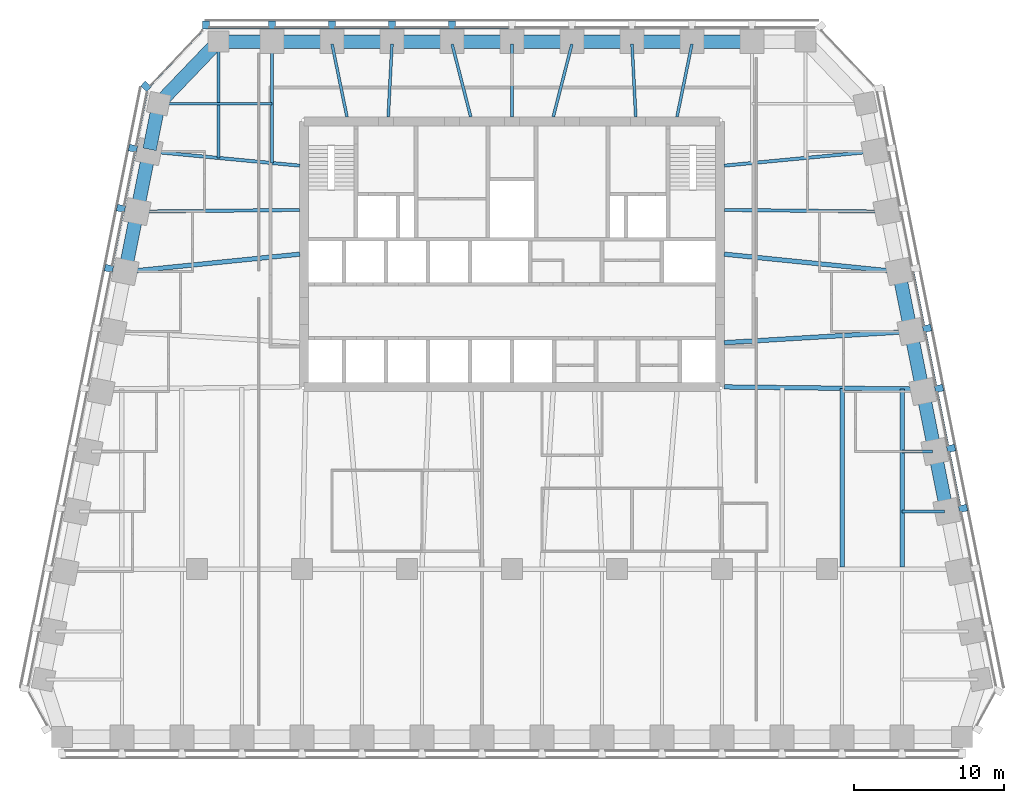
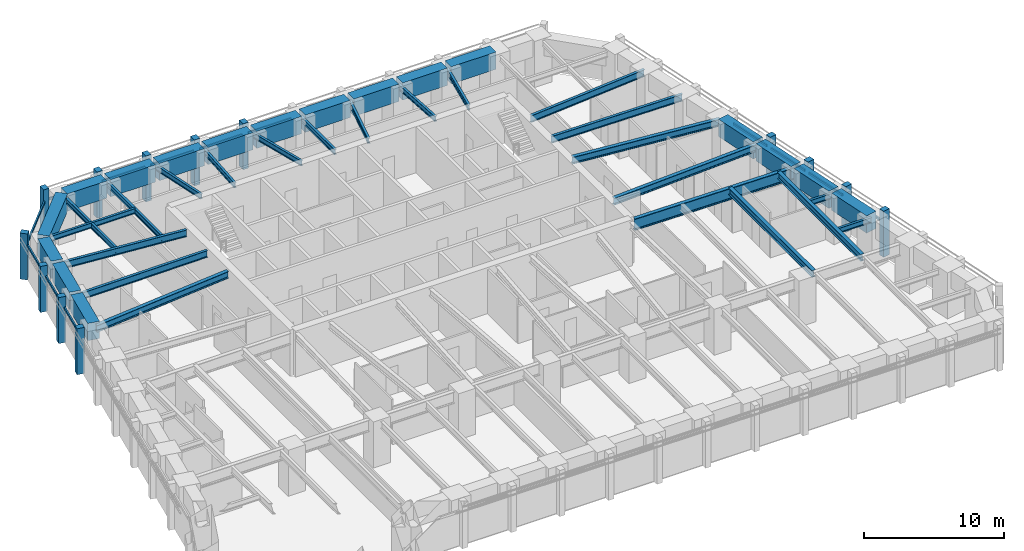
# One storey, part 3 of 10: 39 beams, 26 members, 4 elements without a shape of their own.
"""IFC4 building model written with IfcOpenShell, lengths in metres."""

from ifc_helpers import new_model, si_unit, direction, frame, origin, origin_2d, place, context, subcontext, project, spatial, rectangle, i_section, extrude, material, material_profile, profile_set, type_object, element, aggregate, save


model = new_model("IFC4")

# Units and contexts
model_context = context("Model", 3, precision=1e-05, world=origin(), true_north=direction((0.0, 1.0)))
body_context = subcontext(model_context, "Body", "Model", "MODEL_VIEW")
ifc_project = project(units=[si_unit("LENGTHUNIT", "METRE"), si_unit("AREAUNIT", "SQUARE_METRE"), si_unit("VOLUMEUNIT", "CUBIC_METRE"), si_unit("PLANEANGLEUNIT", "RADIAN"), si_unit("MASSUNIT", "GRAM", prefix="KILO")], contexts=[model_context])

# Site, building, storey
site_placement = place(None, origin())
site = spatial("IfcSite", under=ifc_project, at=site_placement, CompositionType="ELEMENT")
building_placement = place(site_placement, origin())
building = spatial("IfcBuilding", under=site, at=building_placement, Name="Isbrekke Arena Tower", CompositionType="ELEMENT")
storey_placement = place(building_placement, frame((0.0, 0.0, 194.0)))
storey = spatial("IfcBuildingStorey", under=building, at=storey_placement, Name="L44", CompositionType="ELEMENT", Elevation=194.0)

# Beams
ifc_material_1 = material(Name="Steel S355", Category="steel")
ifc_material_profile_1 = material_profile(ifc_material_1, i_section(OverallWidth=0.219970703125, OverallDepth=0.60009765625, WebThickness=0.011962890625, FlangeThickness=0.01904296875, FilletRadius=0.02392578125, at=origin_2d()), Name="IPE 600")
ifc_profile_set_1 = profile_set([ifc_material_profile_1], Name="Steel S355")
beam_type_1 = type_object("IfcBeamType", Name="B1 IPE 600", PredefinedType="BEAM", material=ifc_profile_set_1)
beam_1_placement = place(storey_placement, frame((24.83984375, 17.838134765625, 3.550048828125), z_axis=(-0.999945299061, 0.010459392202, 0.0), x_axis=(-0.010459392202, -0.999945299061, 0.0)))
element("IfcBeam", 1, at=beam_1_placement, inside=storey, type_object=beam_type_1, Name="B1 beam E-E09 L44", PredefinedType="BEAM", context=body_context, shape_type="SweptSolid", body=[
    extrude(i_section(OverallWidth=0.219970703125, OverallDepth=0.60009765625, WebThickness=0.011962890625, FlangeThickness=0.01904296875, FilletRadius=0.02392578125, at=origin_2d()), origin(), (0.0, 0.0, 1.0), 10.6904296875),
])
for number, where, z_axis, x_axis, name in (
    (2, (24.03076171875, 21.837158203125, 3.550048828125), (-0.99553133081, -0.094431823952, 0.0), (0.094431823952, -0.99553133081, 0.0), "B1 beam E-E10 L44"),
    (3, (-24.03076171875, 21.837158203125, 3.550048828125), (0.99553133081, -0.094431823952, 0.0), (0.094431823952, 0.99553133081, 0.0), "B1 beam E-W02 L44"),
):
    element("IfcBeam", number, at=place(storey_placement, frame(where, z_axis=z_axis, x_axis=x_axis)), inside=storey, type_object=beam_type_1, Name=name, PredefinedType="BEAM", context=body_context, shape_type="SweptSolid", body=[
        extrude(i_section(OverallWidth=0.219970703125, OverallDepth=0.60009765625, WebThickness=0.011962890625, FlangeThickness=0.01904296875, FilletRadius=0.02392578125, at=origin_2d()), origin(), (0.0, 0.0, 1.0), 9.92529296875),
    ])
beam_2_placement = place(storey_placement, frame((-24.83984375, 17.838134765625, 3.550048828125), z_axis=(0.999945299061, 0.010459392202, 0.0), x_axis=(-0.010459392202, 0.999945299061, 0.0)))
element("IfcBeam", 4, at=beam_2_placement, inside=storey, type_object=beam_type_1, Name="B1 beam E-W03 L44", PredefinedType="BEAM", context=body_context, shape_type="SweptSolid", body=[
    extrude(i_section(OverallWidth=0.219970703125, OverallDepth=0.60009765625, WebThickness=0.011962890625, FlangeThickness=0.01904296875, FilletRadius=0.02392578125, at=origin_2d()), origin(), (0.0, 0.0, 1.0), 10.6904296875),
])
ifc_material_2 = material(Name="Steel S355", Category="steel")
ifc_material_profile_2 = material_profile(ifc_material_2, i_section(OverallWidth=0.18994140625, OverallDepth=0.449951171875, WebThickness=0.009521484375, FlangeThickness=0.0146484375, FilletRadius=0.02099609375, at=origin_2d()), Name="IPE 450")
ifc_profile_set_2 = profile_set([ifc_material_profile_2], Name="Steel S355")
beam_type_2 = type_object("IfcBeamType", Name="B2 IPE 450", PredefinedType="BEAM", material=ifc_profile_set_2)
beam_3_placement = place(storey_placement, frame((28.841064453125, -2.161865234375, 3.625), z_axis=(-1.0, 0.0, 0.0), x_axis=(0.0, -1.0, 0.0)))
element("IfcBeam", 5, at=beam_3_placement, inside=storey, type_object=beam_type_2, Name="B2 beam E-E04 L44", PredefinedType="BEAM", context=body_context, shape_type="SweptSolid", body=[
    extrude(i_section(OverallWidth=0.18994140625, OverallDepth=0.449951171875, WebThickness=0.009521484375, FlangeThickness=0.0146484375, FilletRadius=0.02099609375, at=origin_2d()), origin(), (0.0, 0.0, 1.0), 2.841064453125),
])
beam_4_placement = place(storey_placement, frame((28.041015625, 1.838134765625, 3.625), z_axis=(-1.0, 0.0, 0.0), x_axis=(0.0, -1.0, 0.0)))
element("IfcBeam", 6, at=beam_4_placement, inside=storey, type_object=beam_type_2, Name="B2 beam E-E05 L44", PredefinedType="BEAM", context=body_context, shape_type="SweptSolid", body=[
    extrude(i_section(OverallWidth=0.18994140625, OverallDepth=0.449951171875, WebThickness=0.009521484375, FlangeThickness=0.0146484375, FilletRadius=0.02099609375, at=origin_2d()), origin(), (0.0, 0.0, 1.0), 2.041015625),
])
beam_5_placement = place(storey_placement, frame((-23.40283203125, 25.029296875, 3.625), z_axis=(1.0, 0.0, 0.0), x_axis=(0.0, 1.0, 0.0)))
element("IfcBeam", 7, at=beam_5_placement, inside=storey, type_object=beam_type_2, Name="B2 beam E-W01 L44", PredefinedType="BEAM", context=body_context, shape_type="SweptSolid", body=[
    extrude(i_section(OverallWidth=0.18994140625, OverallDepth=0.449951171875, WebThickness=0.009521484375, FlangeThickness=0.0146484375, FilletRadius=0.02099609375, at=origin_2d()), origin(), (0.0, 0.0, 1.0), 7.40283203125),
])
ifc_material_3 = material(Name="Steel S355", Category="steel")
ifc_material_profile_3 = material_profile(ifc_material_3, i_section(OverallWidth=0.18994140625, OverallDepth=0.449951171875, WebThickness=0.009521484375, FlangeThickness=0.0146484375, FilletRadius=0.02099609375, at=origin_2d()), Name="IPE 450")
ifc_profile_set_3 = profile_set([ifc_material_profile_3], Name="Steel S355")
beam_type_3 = type_object("IfcBeamType", Name="B3 IPE 450", PredefinedType="BEAM", material=ifc_profile_set_3)
beam_6_placement = place(storey_placement, frame((-16.0, 29.02490234375, 3.625), z_axis=(0.0, -1.0, 0.0), x_axis=(1.0, 0.0, 0.0)))
element("IfcBeam", 8, at=beam_6_placement, inside=storey, type_object=beam_type_3, Name="B3 beam N-N10 L44", PredefinedType="BEAM", context=body_context, shape_type="SweptSolid", body=[
    extrude(i_section(OverallWidth=0.18994140625, OverallDepth=0.449951171875, WebThickness=0.009521484375, FlangeThickness=0.0146484375, FilletRadius=0.02099609375, at=origin_2d()), origin(), (0.0, 0.0, 1.0), 7.949462890625),
])
beam_7_placement = place(storey_placement, frame((-19.574951171875, 29.02490234375, 3.625), z_axis=(0.0, -1.0, 0.0), x_axis=(1.0, 0.0, 0.0)))
element("IfcBeam", 9, at=beam_7_placement, inside=storey, type_object=beam_type_3, Name="B3 beam N-N11 L44", PredefinedType="BEAM", context=body_context, shape_type="SweptSolid", body=[
    extrude(i_section(OverallWidth=0.18994140625, OverallDepth=0.449951171875, WebThickness=0.009521484375, FlangeThickness=0.0146484375, FilletRadius=0.02099609375, at=origin_2d()), origin(), (0.0, 0.0, 1.0), 7.6103515625),
])
beam_8_placement = place(storey_placement, frame((11.99609375, 29.00634765625, 3.625), z_axis=(-0.200924755878, -0.979606677435, 0.0), x_axis=(0.979606677435, -0.200924755878, 0.0)))
element("IfcBeam", 10, at=beam_8_placement, inside=storey, type_object=beam_type_3, Name="B3 beam N-N03 L44", PredefinedType="BEAM", context=body_context, shape_type="SweptSolid", body=[
    extrude(i_section(OverallWidth=0.18994140625, OverallDepth=0.449951171875, WebThickness=0.009521484375, FlangeThickness=0.0146484375, FilletRadius=0.02099609375, at=origin_2d()), origin(), (0.0, 0.0, 1.0), 4.95751953125),
])
beam_9_placement = place(storey_placement, frame((8.000244140625, 29.02001953125, 3.625), z_axis=(0.051216032312, -0.998687597817, 0.0), x_axis=(0.998687597817, 0.051216032312, 0.0)))
element("IfcBeam", 11, at=beam_9_placement, inside=storey, type_object=beam_type_3, Name="B3 beam N-N04 L44", PredefinedType="BEAM", context=body_context, shape_type="SweptSolid", body=[
    extrude(i_section(OverallWidth=0.18994140625, OverallDepth=0.449951171875, WebThickness=0.009521484375, FlangeThickness=0.0146484375, FilletRadius=0.02099609375, at=origin_2d()), origin(), (0.0, 0.0, 1.0), 4.87646484375),
])
beam_10_placement = place(storey_placement, frame((3.994140625, 29.002197265625, 3.625), z_axis=(-0.248368314686, -0.968665670012, 0.0), x_axis=(0.968665670012, -0.248368314686, 0.0)))
element("IfcBeam", 12, at=beam_10_placement, inside=storey, type_object=beam_type_3, Name="B3 beam N-N05 L44", PredefinedType="BEAM", context=body_context, shape_type="SweptSolid", body=[
    extrude(i_section(OverallWidth=0.18994140625, OverallDepth=0.449951171875, WebThickness=0.009521484375, FlangeThickness=0.0146484375, FilletRadius=0.02099609375, at=origin_2d()), origin(), (0.0, 0.0, 1.0), 5.00927734375),
])
beam_11_placement = place(storey_placement, frame((0.0, 29.02490234375, 3.625), z_axis=(0.0, -1.0, 0.0), x_axis=(1.0, 0.0, 0.0)))
element("IfcBeam", 13, at=beam_11_placement, inside=storey, type_object=beam_type_3, Name="B3 beam N-N06 L44", PredefinedType="BEAM", context=body_context, shape_type="SweptSolid", body=[
    extrude(i_section(OverallWidth=0.18994140625, OverallDepth=0.449951171875, WebThickness=0.009521484375, FlangeThickness=0.0146484375, FilletRadius=0.02099609375, at=origin_2d()), origin(), (0.0, 0.0, 1.0), 4.875),
])
beam_12_placement = place(storey_placement, frame((-3.994140625, 29.002197265625, 3.625), z_axis=(0.248368314686, -0.968665670012, 0.0), x_axis=(0.968665670012, 0.248368314686, 0.0)))
element("IfcBeam", 14, at=beam_12_placement, inside=storey, type_object=beam_type_3, Name="B3 beam N-N07 L44", PredefinedType="BEAM", context=body_context, shape_type="SweptSolid", body=[
    extrude(i_section(OverallWidth=0.18994140625, OverallDepth=0.449951171875, WebThickness=0.009521484375, FlangeThickness=0.0146484375, FilletRadius=0.02099609375, at=origin_2d()), origin(), (0.0, 0.0, 1.0), 5.00927734375),
])
beam_13_placement = place(storey_placement, frame((-8.000244140625, 29.02001953125, 3.625), z_axis=(-0.051216032312, -0.998687597817, 0.0), x_axis=(0.998687597817, -0.051216032312, 0.0)))
element("IfcBeam", 15, at=beam_13_placement, inside=storey, type_object=beam_type_3, Name="B3 beam N-N08 L44", PredefinedType="BEAM", context=body_context, shape_type="SweptSolid", body=[
    extrude(i_section(OverallWidth=0.18994140625, OverallDepth=0.449951171875, WebThickness=0.009521484375, FlangeThickness=0.0146484375, FilletRadius=0.02099609375, at=origin_2d()), origin(), (0.0, 0.0, 1.0), 4.87646484375),
])
beam_14_placement = place(storey_placement, frame((-11.99609375, 29.00634765625, 3.625), z_axis=(0.200924755878, -0.979606677435, 0.0), x_axis=(0.979606677435, 0.200924755878, 0.0)))
element("IfcBeam", 16, at=beam_14_placement, inside=storey, type_object=beam_type_3, Name="B3 beam N-N09 L44", PredefinedType="BEAM", context=body_context, shape_type="SweptSolid", body=[
    extrude(i_section(OverallWidth=0.18994140625, OverallDepth=0.449951171875, WebThickness=0.009521484375, FlangeThickness=0.0146484375, FilletRadius=0.02099609375, at=origin_2d()), origin(), (0.0, 0.0, 1.0), 4.95751953125),
])
ifc_material_4 = material(Name="Steel S355", Category="steel")
ifc_material_profile_4 = material_profile(ifc_material_4, i_section(OverallWidth=0.300048828125, OverallDepth=0.60009765625, WebThickness=0.015380859375, FlangeThickness=0.030029296875, FilletRadius=0.027099609375, at=origin_2d()), Name="HEB 600")
ifc_profile_set_4 = profile_set([ifc_material_profile_4], Name="Steel S355")
beam_type_4 = type_object("IfcBeamType", Name="B7 HEB 600", PredefinedType="BEAM", material=ifc_profile_set_4)
beam_15_placement = place(storey_placement, frame((22.0, -5.84912109375, 3.550048828125), z_axis=(0.0, 1.0, 0.0), x_axis=(-1.0, 0.0, 0.0)))
element("IfcBeam", 17, at=beam_15_placement, inside=storey, type_object=beam_type_4, Name="B7 beam C-M13 L44", PredefinedType="BEAM", context=body_context, shape_type="SweptSolid", body=[
    extrude(i_section(OverallWidth=0.300048828125, OverallDepth=0.60009765625, WebThickness=0.015380859375, FlangeThickness=0.030029296875, FilletRadius=0.027099609375, at=origin_2d()), origin(), (0.0, 0.0, 1.0), 11.91015625),
])
beam_16_placement = place(storey_placement, frame((26.0, -5.84912109375, 3.550048828125), z_axis=(0.0, 1.0, 0.0), x_axis=(-1.0, 0.0, 0.0)))
element("IfcBeam", 18, at=beam_16_placement, inside=storey, type_object=beam_type_4, Name="B7 beam C-M14 L44", PredefinedType="BEAM", context=body_context, shape_type="SweptSolid", body=[
    extrude(i_section(OverallWidth=0.300048828125, OverallDepth=0.60009765625, WebThickness=0.015380859375, FlangeThickness=0.030029296875, FilletRadius=0.027099609375, at=origin_2d()), origin(), (0.0, 0.0, 1.0), 11.864990234375),
])
beam_17_placement = place(storey_placement, frame((26.43212890625, 9.837646484375, 3.550048828125), z_axis=(-0.998201854902, -0.059942112659, 0.0), x_axis=(0.059942112659, -0.998201854902, 0.0)))
element("IfcBeam", 19, at=beam_17_placement, inside=storey, type_object=beam_type_4, Name="B7 beam E-E07 L44", PredefinedType="BEAM", context=body_context, shape_type="SweptSolid", body=[
    extrude(i_section(OverallWidth=0.300048828125, OverallDepth=0.60009765625, WebThickness=0.015380859375, FlangeThickness=0.030029296875, FilletRadius=0.027099609375, at=origin_2d()), origin(), (0.0, 0.0, 1.0), 12.304443359375),
])
for number, where, z_axis, x_axis, name in (
    (20, (25.6259765625, 13.83984375, 3.550048828125), (-0.994928891111, 0.100580821396, 0.0), (-0.100580821396, -0.994928891111, 0.0), "B7 beam E-E08 L44"),
    (21, (-25.6259765625, 13.83984375, 3.550048828125), (0.994928891111, 0.100580821396, 0.0), (-0.100580821396, 0.994928891111, 0.0), "B7 beam E-W04 L44"),
):
    element("IfcBeam", number, at=place(storey_placement, frame(where, z_axis=z_axis, x_axis=x_axis)), inside=storey, type_object=beam_type_4, Name=name, PredefinedType="BEAM", context=body_context, shape_type="SweptSolid", body=[
        extrude(i_section(OverallWidth=0.300048828125, OverallDepth=0.60009765625, WebThickness=0.015380859375, FlangeThickness=0.030029296875, FilletRadius=0.027099609375, at=origin_2d()), origin(), (0.0, 0.0, 1.0), 11.53466796875),
    ])

# Curtain wall, members
ifc_material_5 = material(Name="Glazed aluminium curtain wall", Category="aluminium")
curtain_wall_type = type_object("IfcCurtainWallType", Name="CWH TOWER CURTAIN WALL HIGH ZONE", PredefinedType="USERDEFINED", material=ifc_material_5)
curtain_wall_1_placement = place(storey_placement, origin())
curtain_wall_1 = element("IfcCurtainWall", 22, at=curtain_wall_1_placement, inside=storey, type_object=curtain_wall_type, Name="CWH curtain wall L44-E", ObjectType="TOWER CURTAIN WALL HIGH ZONE", PredefinedType="USERDEFINED")
ifc_material_6 = material(Name="Aluminium mullion, pale brick slip cladding", Category="masonry")
ifc_material_profile_5 = material_profile(ifc_material_6, rectangle(XDim=0.449951171875, YDim=0.550048828125, at=origin_2d()), Name="PIER 450X550")
ifc_profile_set_5 = profile_set([ifc_material_profile_5], Name="Aluminium mullion, pale brick slip cladding")
member_type_1 = type_object("IfcMemberType", Name="CWH-M PIER MULLION 450 x 550", PredefinedType="MULLION", material=ifc_profile_set_5)
member_1_placement = place(storey_placement, frame((30.069580078125, -1.946044921875, 0.0), z_axis=(0.0, 0.0, 1.0), x_axis=(-0.196116135138, 0.980580675691, 0.0)))
member_1 = element("IfcMember", 23, at=member_1_placement, type_object=member_type_1, Name="CWH-M mullion 3", PredefinedType="MULLION", context=body_context, shape_type="SweptSolid", body=[
    extrude(rectangle(XDim=0.449951171875, YDim=0.550048828125, at=origin_2d()), origin(), (0.0, 0.0, 1.0), 4.0),
])
member_2_placement = place(storey_placement, frame((29.269775390625, 2.053955078125, 0.0), z_axis=(0.0, 0.0, 1.0), x_axis=(-0.196116135138, 0.980580675691, 0.0)))
member_2 = element("IfcMember", 24, at=member_2_placement, type_object=member_type_1, Name="CWH-M mullion 4", PredefinedType="MULLION", context=body_context, shape_type="SweptSolid", body=[
    extrude(rectangle(XDim=0.449951171875, YDim=0.550048828125, at=origin_2d()), origin(), (0.0, 0.0, 1.0), 4.0),
])
member_3_placement = place(storey_placement, frame((28.4697265625, 6.053955078125, 0.0), z_axis=(0.0, 0.0, 1.0), x_axis=(-0.196116135138, 0.980580675691, 0.0)))
member_3 = element("IfcMember", 25, at=member_3_placement, type_object=member_type_1, Name="CWH-M mullion 5", PredefinedType="MULLION", context=body_context, shape_type="SweptSolid", body=[
    extrude(rectangle(XDim=0.449951171875, YDim=0.550048828125, at=origin_2d()), origin(), (0.0, 0.0, 1.0), 4.0),
])
member_4_placement = place(storey_placement, frame((27.669677734375, 10.053955078125, 0.0), z_axis=(0.0, 0.0, 1.0), x_axis=(-0.196116135138, 0.980580675691, 0.0)))
member_4 = element("IfcMember", 26, at=member_4_placement, type_object=member_type_1, Name="CWH-M mullion 6", PredefinedType="MULLION", context=body_context, shape_type="SweptSolid", body=[
    extrude(rectangle(XDim=0.449951171875, YDim=0.550048828125, at=origin_2d()), origin(), (0.0, 0.0, 1.0), 4.0),
])

curtain_wall_2_placement = place(storey_placement, origin())
curtain_wall_2 = element("IfcCurtainWall", 27, at=curtain_wall_2_placement, inside=storey, type_object=curtain_wall_type, Name="CWH curtain wall L44-N", ObjectType="TOWER CURTAIN WALL HIGH ZONE", PredefinedType="USERDEFINED")
member_5_placement = place(storey_placement, frame((-4.0, 30.27490234375, 0.0), z_axis=(0.0, 0.0, 1.0), x_axis=(-1.0, 0.0, 0.0)))
member_5 = element("IfcMember", 28, at=member_5_placement, type_object=member_type_1, Name="CWH-M mullion 6", PredefinedType="MULLION", context=body_context, shape_type="SweptSolid", body=[
    extrude(rectangle(XDim=0.449951171875, YDim=0.550048828125, at=origin_2d()), origin(), (0.0, 0.0, 1.0), 4.0),
])
member_6_placement = place(storey_placement, frame((-8.0, 30.27490234375, 0.0), z_axis=(0.0, 0.0, 1.0), x_axis=(-1.0, 0.0, 0.0)))
member_6 = element("IfcMember", 29, at=member_6_placement, type_object=member_type_1, Name="CWH-M mullion 7", PredefinedType="MULLION", context=body_context, shape_type="SweptSolid", body=[
    extrude(rectangle(XDim=0.449951171875, YDim=0.550048828125, at=origin_2d()), origin(), (0.0, 0.0, 1.0), 4.0),
])
member_7_placement = place(storey_placement, frame((-12.0, 30.27490234375, 0.0), z_axis=(0.0, 0.0, 1.0), x_axis=(-1.0, 0.0, 0.0)))
member_7 = element("IfcMember", 30, at=member_7_placement, type_object=member_type_1, Name="CWH-M mullion 8", PredefinedType="MULLION", context=body_context, shape_type="SweptSolid", body=[
    extrude(rectangle(XDim=0.449951171875, YDim=0.550048828125, at=origin_2d()), origin(), (0.0, 0.0, 1.0), 4.0),
])
member_8_placement = place(storey_placement, frame((-16.0, 30.27490234375, 0.0), z_axis=(0.0, 0.0, 1.0), x_axis=(-1.0, 0.0, 0.0)))
member_8 = element("IfcMember", 31, at=member_8_placement, type_object=member_type_1, Name="CWH-M mullion 9", PredefinedType="MULLION", context=body_context, shape_type="SweptSolid", body=[
    extrude(rectangle(XDim=0.449951171875, YDim=0.550048828125, at=origin_2d()), origin(), (0.0, 0.0, 1.0), 4.0),
])
member_9_placement = place(storey_placement, frame((-20.39990234375, 30.27490234375, 0.0), z_axis=(0.0, 0.0, 1.0), x_axis=(-1.0, 0.0, 0.0)))
member_9 = element("IfcMember", 32, at=member_9_placement, type_object=member_type_1, Name="CWH-M mullion 10", PredefinedType="MULLION", context=body_context, shape_type="SweptSolid", body=[
    extrude(rectangle(XDim=0.449951171875, YDim=0.550048828125, at=origin_2d()), origin(), (0.0, 0.0, 1.0), 4.0),
])

# Curtain wall, member
curtain_wall_3_placement = place(storey_placement, origin())
curtain_wall_3 = element("IfcCurtainWall", 33, at=curtain_wall_3_placement, inside=storey, type_object=curtain_wall_type, Name="CWH curtain wall L44-NW", ObjectType="TOWER CURTAIN WALL HIGH ZONE", PredefinedType="USERDEFINED")
member_10_placement = place(storey_placement, frame((-24.3994140625, 26.189453125, 0.0), z_axis=(0.0, 0.0, 1.0), x_axis=(-0.68874946192, -0.72499943359, 0.0)))
member_10 = element("IfcMember", 34, at=member_10_placement, type_object=member_type_1, Name="CWH-M mullion 1", PredefinedType="MULLION", context=body_context, shape_type="SweptSolid", body=[
    extrude(rectangle(XDim=0.449951171875, YDim=0.550048828125, at=origin_2d()), origin(), (0.0, 0.0, 1.0), 4.0),
])

# Curtain wall, members
curtain_wall_4_placement = place(storey_placement, origin())
curtain_wall_4 = element("IfcCurtainWall", 35, at=curtain_wall_4_placement, inside=storey, type_object=curtain_wall_type, Name="CWH curtain wall L44-W", ObjectType="TOWER CURTAIN WALL HIGH ZONE", PredefinedType="USERDEFINED")
member_11_placement = place(storey_placement, frame((-25.269775390625, 22.053955078125, 0.0), z_axis=(0.0, 0.0, 1.0), x_axis=(-0.196116135138, -0.980580675691, 0.0)))
member_11 = element("IfcMember", 36, at=member_11_placement, type_object=member_type_1, Name="CWH-M mullion 1", PredefinedType="MULLION", context=body_context, shape_type="SweptSolid", body=[
    extrude(rectangle(XDim=0.449951171875, YDim=0.550048828125, at=origin_2d()), origin(), (0.0, 0.0, 1.0), 4.0),
])
member_12_placement = place(storey_placement, frame((-26.069580078125, 18.053955078125, 0.0), z_axis=(0.0, 0.0, 1.0), x_axis=(-0.196116135138, -0.980580675691, 0.0)))
member_12 = element("IfcMember", 37, at=member_12_placement, type_object=member_type_1, Name="CWH-M mullion 2", PredefinedType="MULLION", context=body_context, shape_type="SweptSolid", body=[
    extrude(rectangle(XDim=0.449951171875, YDim=0.550048828125, at=origin_2d()), origin(), (0.0, 0.0, 1.0), 4.0),
])
member_13_placement = place(storey_placement, frame((-26.86962890625, 14.053955078125, 0.0), z_axis=(0.0, 0.0, 1.0), x_axis=(-0.196116135138, -0.980580675691, 0.0)))
member_13 = element("IfcMember", 38, at=member_13_placement, type_object=member_type_1, Name="CWH-M mullion 3", PredefinedType="MULLION", context=body_context, shape_type="SweptSolid", body=[
    extrude(rectangle(XDim=0.449951171875, YDim=0.550048828125, at=origin_2d()), origin(), (0.0, 0.0, 1.0), 4.0),
])

# Member
ifc_material_7 = material(Name="Aluminium transom", Category="aluminium")
ifc_material_profile_6 = material_profile(ifc_material_7, rectangle(XDim=0.1201171875, YDim=0.199951171875, at=origin_2d()), Name="TRANSOM 120X200")
ifc_profile_set_6 = profile_set([ifc_material_profile_6], Name="Aluminium transom")
member_type_2 = type_object("IfcMemberType", Name="CWH-T TRANSOM 120 x 200", PredefinedType="USERDEFINED", material=ifc_profile_set_6)
member_14_placement = place(storey_placement, frame((29.85400390625, -1.759765625, 3.0), z_axis=(-0.196154943734, 0.980572913173, 0.0), x_axis=(-0.980572913173, -0.196154943734, 0.0)))
member_14 = element("IfcMember", 39, at=member_14_placement, type_object=member_type_2, Name="CWH-T transom 4", ObjectType="TRANSOM", PredefinedType="USERDEFINED", context=body_context, shape_type="SweptSolid", body=[
    extrude(rectangle(XDim=0.1201171875, YDim=0.199951171875, at=origin_2d()), origin(), (0.0, 0.0, 1.0), 3.62939453125),
])

member_15_placement = place(storey_placement, frame((29.053955078125, 2.240234375, 3.0), z_axis=(-0.196090262229, 0.980585849918, 0.0), x_axis=(-0.980585849918, -0.196090262229, 0.0)))
member_15 = element("IfcMember", 40, at=member_15_placement, type_object=member_type_2, Name="CWH-T transom 5", ObjectType="TRANSOM", PredefinedType="USERDEFINED", context=body_context, shape_type="SweptSolid", body=[
    extrude(rectangle(XDim=0.1201171875, YDim=0.199951171875, at=origin_2d()), origin(), (0.0, 0.0, 1.0), 3.62939453125),
])

member_16_placement = place(storey_placement, frame((28.25390625, 6.240234375, 3.0), z_axis=(-0.196090262229, 0.980585849918, 0.0), x_axis=(-0.980585849918, -0.196090262229, 0.0)))
member_16 = element("IfcMember", 41, at=member_16_placement, type_object=member_type_2, Name="CWH-T transom 6", ObjectType="TRANSOM", PredefinedType="USERDEFINED", context=body_context, shape_type="SweptSolid", body=[
    extrude(rectangle(XDim=0.1201171875, YDim=0.199951171875, at=origin_2d()), origin(), (0.0, 0.0, 1.0), 3.62939453125),
])

member_17_placement = place(storey_placement, frame((27.453857421875, 10.240234375, 3.0), z_axis=(-0.196090262229, 0.980585849918, 0.0), x_axis=(-0.980585849918, -0.196090262229, 0.0)))
member_17 = element("IfcMember", 42, at=member_17_placement, type_object=member_type_2, Name="CWH-T transom 7", ObjectType="TRANSOM", PredefinedType="USERDEFINED", context=body_context, shape_type="SweptSolid", body=[
    extrude(rectangle(XDim=0.1201171875, YDim=0.199951171875, at=origin_2d()), origin(), (0.0, 0.0, 1.0), 3.62939453125),
])

aggregate(curtain_wall_1, [member_1, member_2, member_3, member_4, member_14, member_15, member_16, member_17])

member_18_placement = place(storey_placement, frame((-0.22509765625, 30.10009765625, 3.0), z_axis=(-1.0, 0.0, 0.0), x_axis=(0.0, -1.0, 0.0)))
member_18 = element("IfcMember", 43, at=member_18_placement, type_object=member_type_2, Name="CWH-T transom 6", ObjectType="TRANSOM", PredefinedType="USERDEFINED", context=body_context, shape_type="SweptSolid", body=[
    extrude(rectangle(XDim=0.1201171875, YDim=0.199951171875, at=origin_2d()), origin(), (0.0, 0.0, 1.0), 3.5498046875),
])

member_19_placement = place(storey_placement, frame((-4.22509765625, 30.10009765625, 3.0), z_axis=(-1.0, 0.0, 0.0), x_axis=(0.0, -1.0, 0.0)))
member_19 = element("IfcMember", 44, at=member_19_placement, type_object=member_type_2, Name="CWH-T transom 7", ObjectType="TRANSOM", PredefinedType="USERDEFINED", context=body_context, shape_type="SweptSolid", body=[
    extrude(rectangle(XDim=0.1201171875, YDim=0.199951171875, at=origin_2d()), origin(), (0.0, 0.0, 1.0), 3.5498046875),
])

member_20_placement = place(storey_placement, frame((-8.22509765625, 30.10009765625, 3.0), z_axis=(-1.0, 0.0, 0.0), x_axis=(0.0, -1.0, 0.0)))
member_20 = element("IfcMember", 45, at=member_20_placement, type_object=member_type_2, Name="CWH-T transom 8", ObjectType="TRANSOM", PredefinedType="USERDEFINED", context=body_context, shape_type="SweptSolid", body=[
    extrude(rectangle(XDim=0.1201171875, YDim=0.199951171875, at=origin_2d()), origin(), (0.0, 0.0, 1.0), 3.5498046875),
])

member_21_placement = place(storey_placement, frame((-12.22509765625, 30.10009765625, 3.0), z_axis=(-1.0, 0.0, 0.0), x_axis=(0.0, -1.0, 0.0)))
member_21 = element("IfcMember", 46, at=member_21_placement, type_object=member_type_2, Name="CWH-T transom 9", ObjectType="TRANSOM", PredefinedType="USERDEFINED", context=body_context, shape_type="SweptSolid", body=[
    extrude(rectangle(XDim=0.1201171875, YDim=0.199951171875, at=origin_2d()), origin(), (0.0, 0.0, 1.0), 3.5498046875),
])

member_22_placement = place(storey_placement, frame((-16.22509765625, 30.10009765625, 3.0), z_axis=(-1.0, 0.0, 0.0), x_axis=(0.0, -1.0, 0.0)))
member_22 = element("IfcMember", 47, at=member_22_placement, type_object=member_type_2, Name="CWH-T transom 10", ObjectType="TRANSOM", PredefinedType="USERDEFINED", context=body_context, shape_type="SweptSolid", body=[
    extrude(rectangle(XDim=0.1201171875, YDim=0.199951171875, at=origin_2d()), origin(), (0.0, 0.0, 1.0), 3.949951171875),
])

aggregate(curtain_wall_2, [member_5, member_6, member_7, member_8, member_9, member_18, member_19, member_20, member_21, member_22])

member_23_placement = place(storey_placement, frame((-20.62744140625, 29.90576171875, 3.0), z_axis=(-0.688734266994, -0.725013868466, 0.0), x_axis=(0.725013868466, -0.688734266994, 0.0)))
member_23 = element("IfcMember", 48, at=member_23_placement, type_object=member_type_2, Name="CWH-T transom 1", ObjectType="TRANSOM", PredefinedType="USERDEFINED", context=body_context, shape_type="SweptSolid", body=[
    extrude(rectangle(XDim=0.1201171875, YDim=0.199951171875, at=origin_2d()), origin(), (0.0, 0.0, 1.0), 5.067138671875),
])

aggregate(curtain_wall_3, [member_10, member_23])

member_24_placement = place(storey_placement, frame((-24.34228515625, 25.799072265625, 3.0), z_axis=(-0.196090262229, -0.980585849918, 0.0), x_axis=(0.980585849918, -0.196090262229, 0.0)))
member_24 = element("IfcMember", 49, at=member_24_placement, type_object=member_type_2, Name="CWH-T transom 1", ObjectType="TRANSOM", PredefinedType="USERDEFINED", context=body_context, shape_type="SweptSolid", body=[
    extrude(rectangle(XDim=0.1201171875, YDim=0.199951171875, at=origin_2d()), origin(), (0.0, 0.0, 1.0), 3.62939453125),
])

member_25_placement = place(storey_placement, frame((-25.14208984375, 21.799072265625, 3.0), z_axis=(-0.196154943734, -0.980572913173, 0.0), x_axis=(0.980572913173, -0.196154943734, 0.0)))
member_25 = element("IfcMember", 50, at=member_25_placement, type_object=member_type_2, Name="CWH-T transom 2", ObjectType="TRANSOM", PredefinedType="USERDEFINED", context=body_context, shape_type="SweptSolid", body=[
    extrude(rectangle(XDim=0.1201171875, YDim=0.199951171875, at=origin_2d()), origin(), (0.0, 0.0, 1.0), 3.62939453125),
])

member_26_placement = place(storey_placement, frame((-25.942138671875, 17.799072265625, 3.0), z_axis=(-0.196154943734, -0.980572913173, 0.0), x_axis=(0.980572913173, -0.196154943734, 0.0)))
member_26 = element("IfcMember", 51, at=member_26_placement, type_object=member_type_2, Name="CWH-T transom 3", ObjectType="TRANSOM", PredefinedType="USERDEFINED", context=body_context, shape_type="SweptSolid", body=[
    extrude(rectangle(XDim=0.1201171875, YDim=0.199951171875, at=origin_2d()), origin(), (0.0, 0.0, 1.0), 3.62939453125),
])

aggregate(curtain_wall_4, [member_11, member_12, member_13, member_24, member_25, member_26])

# Beams
ifc_material_8 = material(Name="Steel S355", Category="steel")
ifc_material_profile_7 = material_profile(ifc_material_8, i_section(OverallWidth=0.302001953125, OverallDepth=1.008056640625, WebThickness=0.02099609375, FlangeThickness=0.0400390625, FilletRadius=0.030029296875, at=origin_2d()), Name="HEM 1000")
ifc_profile_set_7 = profile_set([ifc_material_profile_7], Name="Steel S355")
beam_type_5 = type_object("IfcBeamType", Name="G2 HEM 1000", PredefinedType="BEAM", material=ifc_profile_set_7)
beam_18_placement = place(storey_placement, frame((14.14990234375, 6.14990234375, 3.345947265625), z_axis=(0.999935908299, -0.011321629528, 0.0), x_axis=(0.011321629528, 0.999935908299, 0.0)))
element("IfcBeam", 52, at=beam_18_placement, inside=storey, type_object=beam_type_5, Name="G2 beam G2-E L44", PredefinedType="BEAM", context=body_context, shape_type="SweptSolid", body=[
    extrude(i_section(OverallWidth=0.302001953125, OverallDepth=1.008056640625, WebThickness=0.02099609375, FlangeThickness=0.0400390625, FilletRadius=0.030029296875, at=origin_2d()), origin(), (0.0, 0.0, 1.0), 13.240234375),
])
ifc_material_9 = material(Name="Concrete B65 (C65/80)", Category="concrete")
ifc_material_profile_8 = material_profile(ifc_material_9, rectangle(XDim=0.89990234375, YDim=1.5, at=origin_2d()), Name="RC 900x1500")
ifc_profile_set_8 = profile_set([ifc_material_profile_8], Name="Concrete B65 (C65/80)")
beam_type_6 = type_object("IfcBeamType", Name="SB3 RC 900 x 1500", PredefinedType="SPANDREL", material=ifc_profile_set_8)
for number, where, z_axis, x_axis, name in (
    (53, (28.961669921875, -2.0146484375, 3.25), (-0.196128558387, 0.980578190959, 0.0), (-0.980578190959, -0.196128558387, 0.0), "SB3 spandrel E04-E05 L44"),
    (54, (28.16162109375, 1.9853515625, 3.25), (-0.196128558387, 0.980578190959, 0.0), (-0.980578190959, -0.196128558387, 0.0), "SB3 spandrel E05-E06 L44"),
    (55, (27.361572265625, 5.9853515625, 3.25), (-0.196128558387, 0.980578190959, 0.0), (-0.980578190959, -0.196128558387, 0.0), "SB3 spandrel E06-E07 L44"),
):
    element("IfcBeam", number, at=place(storey_placement, frame(where, z_axis=z_axis, x_axis=x_axis)), inside=storey, type_object=beam_type_6, Name=name, PredefinedType="SPANDREL", context=body_context, shape_type="SweptSolid", body=[
        extrude(rectangle(XDim=0.89990234375, YDim=1.5, at=origin_2d()), origin(), (0.0, 0.0, 1.0), 3.779296875),
    ])
beam_19_placement = place(storey_placement, frame((26.5615234375, 9.9853515625, 3.25), z_axis=(-0.1960664412, 0.980590613169, 0.0), x_axis=(-0.980590613169, -0.1960664412, 0.0)))
element("IfcBeam", 56, at=beam_19_placement, inside=storey, type_object=beam_type_6, Name="SB3 spandrel E07-E08 L44", PredefinedType="SPANDREL", context=body_context, shape_type="SweptSolid", body=[
    extrude(rectangle(XDim=0.89990234375, YDim=1.5, at=origin_2d()), origin(), (0.0, 0.0, 1.0), 3.779052734375),
])
for number, where, z_axis, x_axis, name in (
    (57, (15.85009765625, 29.175048828125, 3.25), (-1.0, 0.0, 0.0), (0.0, -1.0, 0.0), "SB3 spandrel N02-N03 L44"),
    (58, (11.85009765625, 29.175048828125, 3.25), (-1.0, 0.0, 0.0), (0.0, -1.0, 0.0), "SB3 spandrel N03-N04 L44"),
    (59, (7.85009765625, 29.175048828125, 3.25), (-1.0, 0.0, 0.0), (0.0, -1.0, 0.0), "SB3 spandrel N04-N05 L44"),
    (60, (3.85009765625, 29.175048828125, 3.25), (-1.0, 0.0, 0.0), (0.0, -1.0, 0.0), "SB3 spandrel N05-N06 L44"),
    (61, (-0.14990234375, 29.175048828125, 3.25), (-1.0, 0.0, 0.0), (0.0, -1.0, 0.0), "SB3 spandrel N06-N07 L44"),
    (62, (-4.14990234375, 29.175048828125, 3.25), (-1.0, 0.0, 0.0), (0.0, -1.0, 0.0), "SB3 spandrel N07-N08 L44"),
    (63, (-8.14990234375, 29.175048828125, 3.25), (-1.0, 0.0, 0.0), (0.0, -1.0, 0.0), "SB3 spandrel N08-N09 L44"),
    (64, (-12.14990234375, 29.175048828125, 3.25), (-1.0, 0.0, 0.0), (0.0, -1.0, 0.0), "SB3 spandrel N09-N10 L44"),
):
    element("IfcBeam", number, at=place(storey_placement, frame(where, z_axis=z_axis, x_axis=x_axis)), inside=storey, type_object=beam_type_6, Name=name, PredefinedType="SPANDREL", context=body_context, shape_type="SweptSolid", body=[
        extrude(rectangle(XDim=0.89990234375, YDim=1.5, at=origin_2d()), origin(), (0.0, 0.0, 1.0), 3.7001953125),
    ])
beam_20_placement = place(storey_placement, frame((-16.14990234375, 29.175048828125, 3.25), z_axis=(-1.0, 0.0, 0.0), x_axis=(0.0, -1.0, 0.0)))
element("IfcBeam", 65, at=beam_20_placement, inside=storey, type_object=beam_type_6, Name="SB3 spandrel N10-N11 L44", PredefinedType="SPANDREL", context=body_context, shape_type="SweptSolid", body=[
    extrude(rectangle(XDim=0.89990234375, YDim=1.5, at=origin_2d()), origin(), (0.0, 0.0, 1.0), 3.275146484375),
])
beam_21_placement = place(storey_placement, frame((-19.678955078125, 29.066650390625, 3.25), z_axis=(-0.692339547635, -0.721571861134, 0.0), x_axis=(0.721571861134, -0.692339547635, 0.0)))
element("IfcBeam", 66, at=beam_21_placement, inside=storey, type_object=beam_type_6, Name="SB3 spandrel N11-W01 L44", PredefinedType="SPANDREL", context=body_context, shape_type="SweptSolid", body=[
    extrude(rectangle(XDim=0.89990234375, YDim=1.5, at=origin_2d()), origin(), (0.0, 0.0, 1.0), 5.4453125),
])
beam_22_placement = place(storey_placement, frame((-23.582275390625, 24.882080078125, 3.25), z_axis=(-0.196116135138, -0.980580675691, 0.0), x_axis=(0.980580675691, -0.196116135138, 0.0)))
element("IfcBeam", 67, at=beam_22_placement, inside=storey, type_object=beam_type_6, Name="SB3 spandrel W01-W02 L44", PredefinedType="SPANDREL", context=body_context, shape_type="SweptSolid", body=[
    extrude(rectangle(XDim=0.89990234375, YDim=1.5, at=origin_2d()), origin(), (0.0, 0.0, 1.0), 2.9541015625),
])
for number, where, z_axis, x_axis, name in (
    (68, (-24.220458984375, 21.691162109375, 3.25), (-0.196128558387, -0.980578190959, 0.0), (0.980578190959, -0.196128558387, 0.0), "SB3 spandrel W02-W03 L44"),
    (69, (-25.0205078125, 17.691162109375, 3.25), (-0.196128558387, -0.980578190959, 0.0), (0.980578190959, -0.196128558387, 0.0), "SB3 spandrel W03-W04 L44"),
):
    element("IfcBeam", number, at=place(storey_placement, frame(where, z_axis=z_axis, x_axis=x_axis)), inside=storey, type_object=beam_type_6, Name=name, PredefinedType="SPANDREL", context=body_context, shape_type="SweptSolid", body=[
        extrude(rectangle(XDim=0.89990234375, YDim=1.5, at=origin_2d()), origin(), (0.0, 0.0, 1.0), 3.779296875),
    ])

save(model, "model.ifc")
